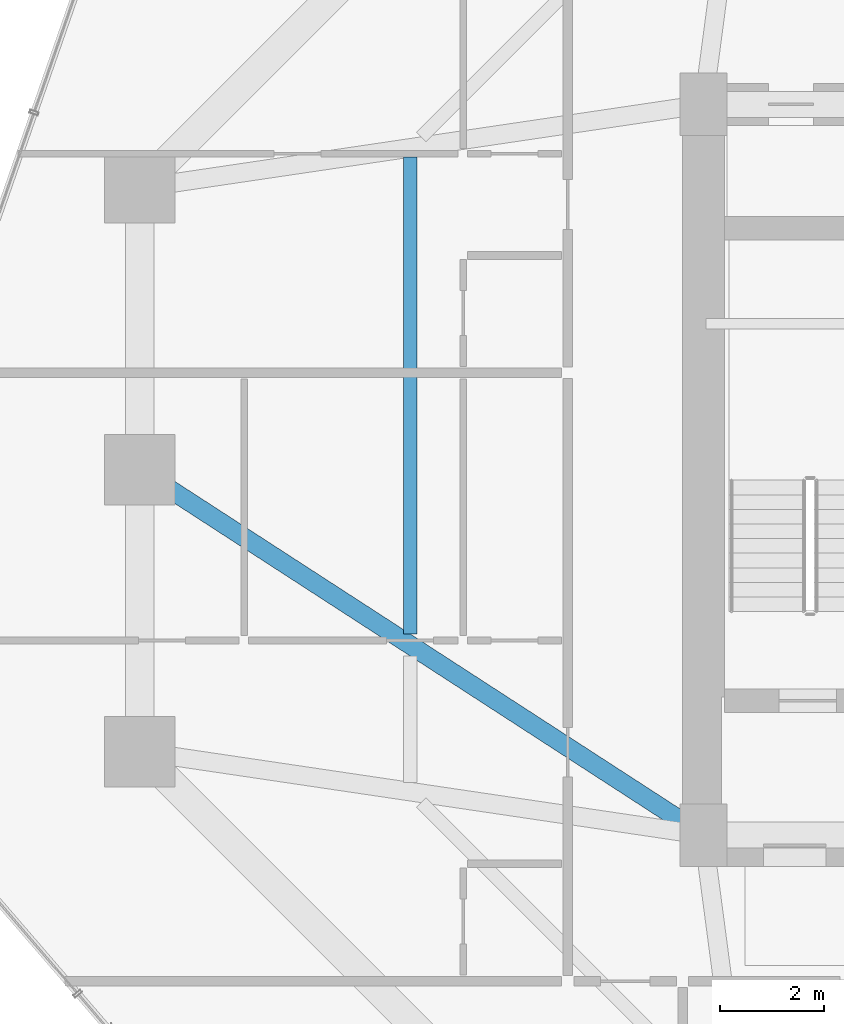
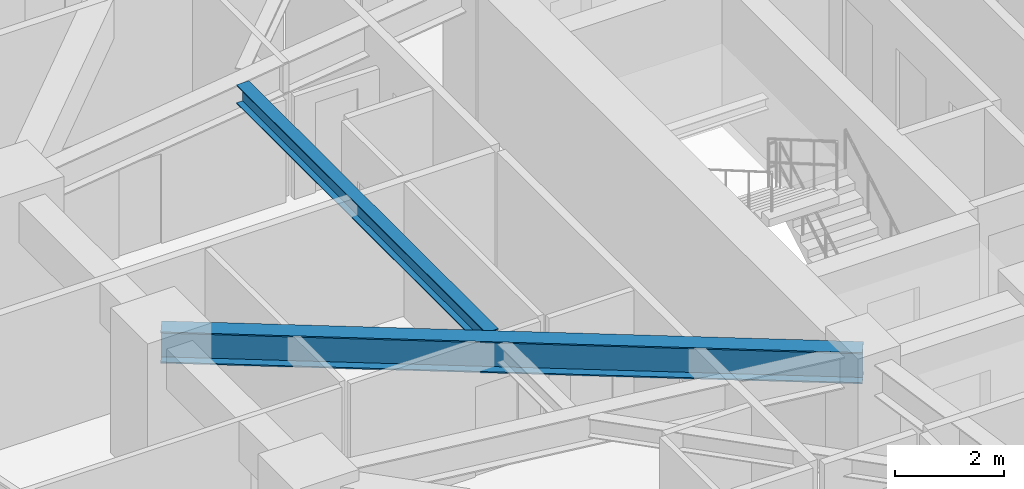
# One storey, part 11 of 38: 2 beams.
"""IFC4 building model written with IfcOpenShell, lengths in metres."""

import ifcopenshell
import ifcopenshell.guid

model = None  # the IFC model being written
_history = None  # IfcOwnerHistory: only IFC2X3 demands one
_inside = {}  # id of a spatial element -> (the spatial element, [elements in it])
_under = {}  # id of a project, library or spatial element -> (it, [spatial elements below it])
_declared = {}  # id of a project -> (the project, [libraries it declares])
_typed = {}  # id of a type object -> (the type object, [elements of that type])
_made_of = {}  # id of a material, layer set ... -> (it, [elements and type objects made of it])


def new_model(schema):
    """Start an empty IFC model of exactly this schema.

    Asked for "IFC4X3", IfcOpenShell would pick the latest addendum, in which some entities
    have other attributes; the version numbers below select the first issue.
    IFC2X3 requires an IfcOwnerHistory on every rooted entity: one is made here for all.
    """
    global model, _history
    if schema == "IFC4X3":
        model = ifcopenshell.file(schema_version=(4, 3, 0, 0))
    else:
        model = ifcopenshell.file(schema=schema)
    _inside.clear()
    _under.clear()
    _declared.clear()
    _typed.clear()
    _made_of.clear()
    _history = None
    if model.schema == "IFC2X3":
        org = make("IfcOrganization", Name="unknown")
        user = make(
            "IfcPersonAndOrganization",
            ThePerson=make("IfcPerson", FamilyName="unknown"),
            TheOrganization=org,
        )
        app = make(
            "IfcApplication",
            ApplicationDeveloper=org,
            Version="unknown",
            ApplicationFullName="unknown",
            ApplicationIdentifier="unknown",
        )
        _history = make(
            "IfcOwnerHistory",
            OwningUser=user,
            OwningApplication=app,
            ChangeAction="ADDED",
            CreationDate=0,
        )
    return model


def make(cls, **values):
    """One entity of the class cls with the attributes given. An attribute that is None is left unset."""
    return model.create_entity(
        cls, **{name: value for name, value in values.items() if value is not None}
    )


def rooted(cls, **values):
    """An entity with a GlobalId (a new one), such as an element, a storey or a relation."""
    return make(cls, GlobalId=ifcopenshell.guid.new(), OwnerHistory=_history, **values)


def si_unit(unit_type, name, prefix=None):
    """IfcSIUnit, for example si_unit("LENGTHUNIT", "METRE", prefix="MILLI")."""
    return make("IfcSIUnit", UnitType=unit_type, Prefix=prefix, Name=name)


def assignment(units):
    """IfcUnitAssignment: the units of a project."""
    return None if units is None else make("IfcUnitAssignment", Units=units)


def point(xyz):
    """IfcCartesianPoint."""
    return None if xyz is None else make("IfcCartesianPoint", Coordinates=xyz)


def direction(xyz):
    """IfcDirection."""
    return None if xyz is None else make("IfcDirection", DirectionRatios=xyz)


def frame(location, z_axis=None, x_axis=None):
    """IfcAxis2Placement3D, a coordinate frame: its origin and axes. An axis left out is left unset."""
    return make(
        "IfcAxis2Placement3D",
        Location=point(location),
        Axis=direction(z_axis),
        RefDirection=direction(x_axis),
    )


def frame_2d(location, x_axis=None):
    """IfcAxis2Placement2D, a coordinate frame in the plane: its origin and x axis."""
    return make(
        "IfcAxis2Placement2D", Location=point(location), RefDirection=direction(x_axis)
    )


def origin():
    """The frame at (0, 0, 0) with its axes left unset."""
    return frame((0.0, 0.0, 0.0))


def origin_2d():
    """The frame at (0, 0) in the plane with its x axis left unset."""
    return frame_2d((0.0, 0.0))


def place(relative_to, where):
    """IfcLocalPlacement: puts the frame where relative to a parent placement (None: the world)."""
    return make(
        "IfcLocalPlacement", PlacementRelTo=relative_to, RelativePlacement=where
    )


def context(
    kind, dimensions, precision=None, world=None, true_north=None, identifier=None
):
    """IfcGeometricRepresentationContext, for example the 3D "Model" context."""
    return make(
        "IfcGeometricRepresentationContext",
        ContextIdentifier=identifier,
        ContextType=kind,
        CoordinateSpaceDimension=dimensions,
        Precision=precision,
        WorldCoordinateSystem=world,
        TrueNorth=true_north,
    )


def subcontext(parent, identifier, kind, view, scale=None):
    """IfcGeometricRepresentationSubContext, for example "Body" below "Model"."""
    return make(
        "IfcGeometricRepresentationSubContext",
        ContextIdentifier=identifier,
        ContextType=kind,
        ParentContext=parent,
        TargetScale=scale,
        TargetView=view,
    )


def project(units=None, contexts=None):
    """IfcProject with its units and contexts."""
    return rooted(
        "IfcProject",
        Name="project",
        RepresentationContexts=contexts,
        UnitsInContext=assignment(units),
    )


def spatial(cls, under=None, at=None, **own):
    """A site, building, storey or space (cls), placed at a placement, below another one or the project."""
    s = rooted(cls, ObjectPlacement=at, **own)
    if under is not None:
        _under.setdefault(under.id(), (under, []))[1].append(s)
    return s


def profile(cls, at=None, kind="AREA", **sizes):
    """A parametric profile (cls). Its sizes go by their IFC names, for example OverallWidth=200.0."""
    return make(cls, ProfileType=kind, Position=at, **sizes)


def i_section(**sizes):
    """IfcIShapeProfileDef."""
    return profile("IfcIShapeProfileDef", **sizes)


def extrude(swept, where, along, depth):
    """IfcExtrudedAreaSolid: the profile swept, set in the frame where, extruded along a direction by depth."""
    return make(
        "IfcExtrudedAreaSolid",
        SweptArea=swept,
        Position=where,
        ExtrudedDirection=direction(along),
        Depth=depth,
    )


def shape(context_of_items, identifier, shape_type, items):
    """IfcShapeRepresentation: the items that make up one representation, for example the "Body"."""
    return make(
        "IfcShapeRepresentation",
        ContextOfItems=context_of_items,
        RepresentationIdentifier=identifier,
        RepresentationType=shape_type,
        Items=items,
    )


def material(Name=None, Category=None):
    """IfcMaterial."""
    return make("IfcMaterial", Name=Name, Category=Category)


def material_profile(
    of_material, cross_section, Name=None, Category=None, Priority=None
):
    """IfcMaterialProfile: a cross section and its material."""
    return make(
        "IfcMaterialProfile",
        Name=Name,
        Material=of_material,
        Profile=cross_section,
        Priority=Priority,
        Category=Category,
    )


def profile_set(profiles, Name=None, composite=None):
    """IfcMaterialProfileSet."""
    return make(
        "IfcMaterialProfileSet",
        Name=Name,
        MaterialProfiles=profiles,
        CompositeProfile=composite,
    )


def made_of(thing, what):
    """Note that an element or type object is made of a material, layer set ...; save() writes the relation."""
    if what is not None:
        _made_of.setdefault(what.id(), (what, []))[1].append(thing)
    return thing


def type_object(cls, material=None, **own):
    """A type object (cls), such as IfcWallType, which elements share."""
    return made_of(rooted(cls, **own), material)


def element(
    cls,
    number,
    at=None,
    inside=None,
    cuts=None,
    type_object=None,
    material=None,
    context=None,
    identifier="Body",
    shape_type=None,
    held_by="IfcProductDefinitionShape",
    body=None,
    shapes=None,
    **own,
):
    """One element of the class cls, such as IfcWall. Its Tag is "e" and its number.

    at: its placement. inside: the storey or other place that contains it. cuts: it is an
    opening in that element (IfcRelVoidsElement). A single representation is given by context,
    identifier, shape_type and body (its items); several are given by shapes. held_by: the class
    of the entity that holds the representations. save() writes the other relations.
    """
    e = rooted(cls, Tag="e%d" % number, ObjectPlacement=at, **own)
    if body is not None:
        shapes = [shape(context, identifier, shape_type, body)]
    if shapes is not None:
        e.Representation = make(held_by, Representations=shapes)
    if inside is not None:
        _inside.setdefault(inside.id(), (inside, []))[1].append(e)
    if cuts is not None:
        rooted(
            "IfcRelVoidsElement", RelatingBuildingElement=cuts, RelatedOpeningElement=e
        )
    if type_object is not None:
        _typed.setdefault(type_object.id(), (type_object, []))[1].append(e)
    return made_of(e, material)


def aggregate(whole, parts):
    """IfcRelAggregates: a whole, such as a stair, and the parts it consists of."""
    return rooted("IfcRelAggregates", RelatingObject=whole, RelatedObjects=parts)


def save(model, path):
    """Write the relations noted so far, then the file.

    IfcRelAggregates (storeys below a building ...), IfcRelContainedInSpatialStructure (elements
    in a storey), IfcRelDefinesByType, IfcRelAssociatesMaterial and IfcRelDeclares: one each for
    every whole, place, type object, material and project.
    """
    for whole, parts in _under.values():
        aggregate(whole, parts)
    for where, things in _inside.values():
        rooted(
            "IfcRelContainedInSpatialStructure",
            RelatedElements=things,
            RelatingStructure=where,
        )
    for kind, things in _typed.values():
        rooted("IfcRelDefinesByType", RelatedObjects=things, RelatingType=kind)
    for what, things in _made_of.values():
        rooted("IfcRelAssociatesMaterial", RelatedObjects=things, RelatingMaterial=what)
    for by, libraries in _declared.values():
        rooted("IfcRelDeclares", RelatingContext=by, RelatedDefinitions=libraries)
    model.write(path)


model = new_model("IFC4")

# Units and contexts
model_context = context("Model", 3, precision=1e-05, world=origin(), true_north=direction((0.0, 1.0)))
body_context = subcontext(model_context, "Body", "Model", "MODEL_VIEW")
ifc_project = project(units=[si_unit("LENGTHUNIT", "METRE"), si_unit("AREAUNIT", "SQUARE_METRE"), si_unit("VOLUMEUNIT", "CUBIC_METRE"), si_unit("PLANEANGLEUNIT", "RADIAN"), si_unit("MASSUNIT", "GRAM", prefix="KILO")], contexts=[model_context])

# Site, building, storey
site_placement = place(None, origin())
site = spatial("IfcSite", under=ifc_project, at=site_placement, CompositionType="ELEMENT")
building_placement = place(site_placement, origin())
building = spatial("IfcBuilding", under=site, at=building_placement, Name="Veraguas Prism Commons", CompositionType="ELEMENT")
storey_placement = place(building_placement, frame((0.0, 0.0, 60.85009765625)))
storey = spatial("IfcBuildingStorey", under=building, at=storey_placement, Name="L16", CompositionType="ELEMENT", Elevation=60.85009765625)

# Beams
ifc_material = material(Name="Steel ASTM A992 Grade 50", Category="steel")
ifc_material_profile_1 = material_profile(ifc_material, i_section(OverallWidth=0.260986328125, OverallDepth=0.419921875, WebThickness=0.01171875, FlangeThickness=0.019287109375, at=origin_2d()), Name="W410X114")
ifc_profile_set_1 = profile_set([ifc_material_profile_1], Name="Steel ASTM A992 Grade 50")
beam_type_1 = type_object("IfcBeamType", Name="Lower Floor Joist W410x114", PredefinedType="JOIST", material=ifc_profile_set_1)
beam_1_placement = place(storey_placement, frame((11.583984375, 29.989990234375, 2.789794921875), z_axis=(0.0, -1.0, 0.0), x_axis=(1.0, 0.0, 0.0)))
element("IfcBeam", 1, at=beam_1_placement, inside=storey, type_object=beam_type_1, Name="Composite Floor Joist L16-JS07", PredefinedType="JOIST", context=body_context, shape_type="SweptSolid", body=[
    extrude(i_section(OverallWidth=0.260986328125, OverallDepth=0.419921875, WebThickness=0.01171875, FlangeThickness=0.019287109375, at=origin_2d()), origin(), (0.0, 0.0, 1.0), 9.140380859375),
])
ifc_material_profile_2 = material_profile(ifc_material, i_section(OverallWidth=0.35595703125, OverallDepth=0.700927734375, WebThickness=0.016845703125, FlangeThickness=0.02734375, at=origin_2d()), Name="W690X240")
ifc_profile_set_2 = profile_set([ifc_material_profile_2], Name="Steel ASTM A992 Grade 50")
beam_type_2 = type_object("IfcBeamType", Name="Zone 1 Radial Girder W690x240", PredefinedType="BEAM", material=ifc_profile_set_2)
beam_2_placement = place(storey_placement, frame((6.39990234375, 24.0, 2.6494140625), z_axis=(0.839154108875, -0.543893722668, 0.0), x_axis=(0.543893722668, 0.839154108875, 0.0)))
element("IfcBeam", 2, at=beam_2_placement, inside=storey, type_object=beam_type_2, Name="Radial Floor Girder L16-RD08", PredefinedType="BEAM", context=body_context, shape_type="SweptSolid", body=[
    extrude(i_section(OverallWidth=0.35595703125, OverallDepth=0.700927734375, WebThickness=0.016845703125, FlangeThickness=0.02734375, at=origin_2d()), origin(), (0.0, 0.0, 1.0), 12.8701171875),
])

save(model, "model.ifc")
